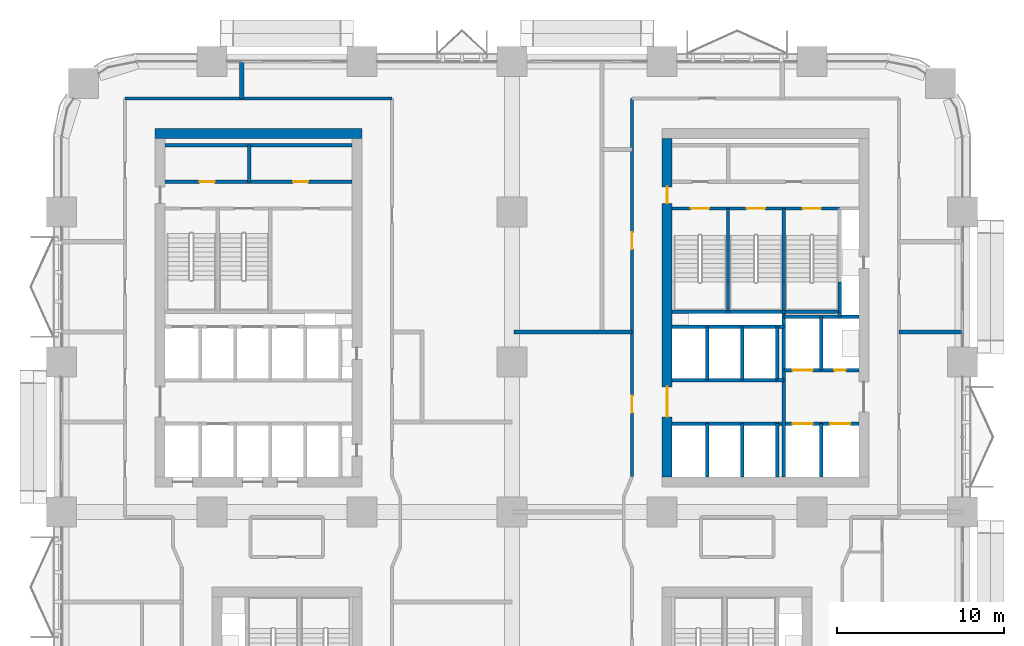
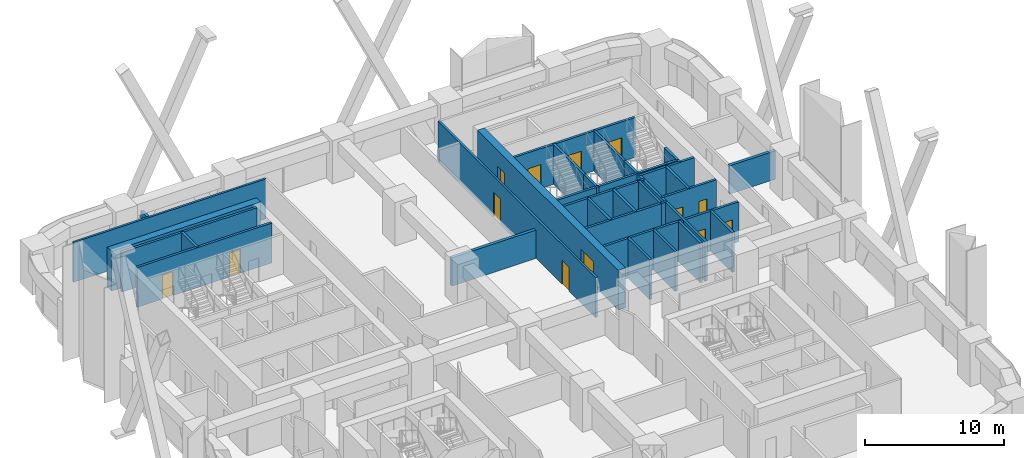
# One storey, part 21 of 26: 37 walls, 13 doors, 13 openings.
"""IFC4 building model written with IfcOpenShell, lengths in metres."""

from ifc_helpers import new_model, si_unit, direction, frame, frame_2d, origin, place, context, subcontext, project, spatial, rectangle, extrude, material, layer, layer_set, type_object, element, fill, save


model = new_model("IFC4")

# Units and contexts
model_context = context("Model", 3, precision=1e-05, world=origin(), true_north=direction((0.0, 1.0)))
body_context = subcontext(model_context, "Body", "Model", "MODEL_VIEW")
ifc_project = project(units=[si_unit("LENGTHUNIT", "METRE"), si_unit("AREAUNIT", "SQUARE_METRE"), si_unit("VOLUMEUNIT", "CUBIC_METRE"), si_unit("PLANEANGLEUNIT", "RADIAN"), si_unit("MASSUNIT", "GRAM", prefix="KILO")], contexts=[model_context])

# Site, building, storey
site_placement = place(None, origin())
site = spatial("IfcSite", under=ifc_project, at=site_placement, CompositionType="ELEMENT")
building_placement = place(site_placement, origin())
building = spatial("IfcBuilding", under=site, at=building_placement, Name="Tessera Arch", CompositionType="ELEMENT")
storey_placement = place(building_placement, frame((0.0, 0.0, 31.0)))
storey = spatial("IfcBuildingStorey", under=building, at=storey_placement, Name="L05", CompositionType="ELEMENT", Elevation=31.0)

# Walls
ifc_material_1 = material(Name="Gypsum board on steel stud", Category="steel")
ifc_layer_1 = layer(ifc_material_1, 0.125)
ifc_layer_set_1 = layer_set([ifc_layer_1], Name="Core partition 125 EI 60")
wall_type_1 = type_object("IfcWallType", Name="Core partition 125 EI 60", PredefinedType="PARTITIONING", material=ifc_layer_set_1)
wall_1_placement = place(storey_placement, frame((42.89990234375, 34.89990234375, 0.0), z_axis=(0.0, 0.0, 1.0), x_axis=(1.0, 0.0, 0.0)))
element("IfcWall", 1, at=wall_1_placement, inside=storey, type_object=wall_type_1, Name="L05 C1 partition wall 19", PredefinedType="PARTITIONING", context=body_context, shape_type="SweptSolid", body=[
    extrude(rectangle(XDim=0.400146484375, YDim=0.199951171875, at=frame_2d((0.2001953125, 0.0))), origin(), (0.0, 0.0, 1.0), 3.5),
])
wall_2_placement = place(storey_placement, frame((11.239990234375, 46.800048828125, 0.0), z_axis=(0.0, 0.0, 1.0), x_axis=(0.0, 1.0, 0.0)))
element("IfcWall", 2, at=wall_2_placement, inside=storey, type_object=wall_type_1, Name="L05 C2 partition wall 7", PredefinedType="PARTITIONING", context=body_context, shape_type="SweptSolid", body=[
    extrude(rectangle(XDim=2.199951171875, YDim=0.199951171875, at=frame_2d((1.10009765625, 0.0))), origin(), (0.0, 0.0, 1.0), 3.5),
])

# Wall, openings, doors
wall_3_placement = place(storey_placement, frame((6.199951171875, 46.800048828125, 0.0), z_axis=(0.0, 0.0, 1.0), x_axis=(1.0, 0.0, 0.0)))
wall_3 = element("IfcWall", 3, at=wall_3_placement, inside=storey, type_object=wall_type_1, Name="L05 C2 partition wall 25", PredefinedType="PARTITIONING", context=body_context, shape_type="SweptSolid", body=[
    extrude(rectangle(XDim=11.199951171875, YDim=0.199951171875, at=frame_2d((5.60009765625, 0.0))), origin(), (0.0, 0.0, 1.0), 3.5),
])
opening_1_placement = place(wall_3_placement, frame((2.070068359375, 0.0, 0.0)))
opening_1 = element("IfcOpeningElement", 4, at=opening_1_placement, cuts=wall_3, Name="Opening L05-C28", PredefinedType="OPENING", context=body_context, shape_type="SweptSolid", body=[
    extrude(rectangle(XDim=0.89990234375, YDim=2.10009765625, at=frame_2d((0.449951171875, 1.050048828125))), frame((0.0, 0.10986328125, 0.0), z_axis=(0.0, -1.0, 0.0), x_axis=(1.0, 0.0, 0.0)), (0.0, 0.0, 1.0), 0.219970703125),
])
opening_2_placement = place(wall_3_placement, frame((7.669921875, 0.0, 0.0)))
opening_2 = element("IfcOpeningElement", 5, at=opening_2_placement, cuts=wall_3, Name="Opening L05-C29", PredefinedType="OPENING", context=body_context, shape_type="SweptSolid", body=[
    extrude(rectangle(XDim=0.89990234375, YDim=2.10009765625, at=frame_2d((0.449951171875, 1.050048828125))), frame((0.0, 0.10986328125, 0.0), z_axis=(0.0, -1.0, 0.0), x_axis=(1.0, 0.0, 0.0)), (0.0, 0.0, 1.0), 0.219970703125),
])
ifc_material_2 = material(Name="Steel door leaf", Category="steel")
door_type_1 = type_object("IfcDoorType", Name="Store door FD30S 900 x 2100", OperationType="SINGLE_SWING_LEFT", PredefinedType="DOOR", material=ifc_material_2)
door_1_placement = place(opening_1_placement, origin())
door_1 = element("IfcDoor", 6, at=door_1_placement, inside=storey, type_object=door_type_1, Name="L05 C2 door 15 C28 type D09", OperationType="SINGLE_SWING_LEFT", OverallHeight=2.10009765625, OverallWidth=0.89990234375, PredefinedType="DOOR", context=body_context, shape_type="SweptSolid", body=[
    extrude(rectangle(XDim=0.89990234375, YDim=2.10009765625, at=frame_2d((0.449951171875, 1.050048828125))), frame((0.0, 0.02490234375, 0.0), z_axis=(0.0, -1.0, 0.0), x_axis=(1.0, 0.0, 0.0)), (0.0, 0.0, 1.0), 0.050048828125),
])
fill(opening_1, door_1)
door_2_placement = place(opening_2_placement, origin())
door_2 = element("IfcDoor", 7, at=door_2_placement, inside=storey, type_object=door_type_1, Name="L05 C2 door 16 C29 type D09", OperationType="SINGLE_SWING_RIGHT", OverallHeight=2.10009765625, OverallWidth=0.89990234375, PredefinedType="DOOR", context=body_context, shape_type="SweptSolid", body=[
    extrude(rectangle(XDim=0.89990234375, YDim=2.10009765625, at=frame_2d((0.449951171875, 1.050048828125))), frame((0.0, 0.02490234375, 0.0), z_axis=(0.0, -1.0, 0.0), x_axis=(1.0, 0.0, 0.0)), (0.0, 0.0, 1.0), 0.050048828125),
])
fill(opening_2, door_2)

# Wall
wall_4_placement = place(storey_placement, frame((6.199951171875, 49.0, 0.0), z_axis=(0.0, 0.0, 1.0), x_axis=(1.0, 0.0, 0.0)))
element("IfcWall", 8, at=wall_4_placement, inside=storey, type_object=wall_type_1, Name="L05 C2 partition wall 26", PredefinedType="PARTITIONING", context=body_context, shape_type="SweptSolid", body=[
    extrude(rectangle(XDim=11.199951171875, YDim=0.199951171875, at=frame_2d((5.60009765625, 0.0))), origin(), (0.0, 0.0, 1.0), 3.5),
])

# Wall, openings, doors
ifc_material_3 = material(Name="Concrete C70/85", Category="concrete")
ifc_layer_2 = layer(ifc_material_3, 0.60009765625)
ifc_layer_set_2 = layer_set([ifc_layer_2], Name="Core shell wall 600 C70-85")
wall_type_2 = type_object("IfcWallType", Name="Core shell wall 600 C70-85", PredefinedType="SHEAR", material=ifc_layer_set_2)
wall_5_placement = place(storey_placement, frame((36.300048828125, 29.10009765625, 0.0), z_axis=(0.0, 0.0, 1.0), x_axis=(0.0, 1.0, 0.0)))
wall_5 = element("IfcWall", 9, at=wall_5_placement, inside=storey, type_object=wall_type_2, Name="L05 C1 core wall W", PredefinedType="SHEAR", context=body_context, shape_type="SweptSolid", body=[
    extrude(rectangle(XDim=20.2998046875, YDim=0.60009765625, at=frame_2d((10.14990234375, 0.0))), origin(), (0.0, 0.0, 1.0), 3.5),
])
opening_3_placement = place(wall_5_placement, frame((3.60009765625, 0.0, 0.0)))
opening_3 = element("IfcOpeningElement", 10, at=opening_3_placement, cuts=wall_5, Name="Opening L05-C04", PredefinedType="OPENING", context=body_context, shape_type="SweptSolid", body=[
    extrude(rectangle(XDim=1.800048828125, YDim=2.10009765625, at=frame_2d((0.89990234375, 1.050048828125))), frame((0.0, 0.31005859375, 0.0), z_axis=(0.0, -1.0, 0.0), x_axis=(1.0, 0.0, 0.0)), (0.0, 0.0, 1.0), 0.6201171875),
])
opening_4_placement = place(wall_5_placement, frame((16.39990234375, 0.0, 0.0)))
opening_4 = element("IfcOpeningElement", 11, at=opening_4_placement, cuts=wall_5, Name="Opening L05-C11", PredefinedType="OPENING", context=body_context, shape_type="SweptSolid", body=[
    extrude(rectangle(XDim=1.0, YDim=2.10009765625, at=frame_2d((0.5, 1.050048828125))), frame((0.0, 0.31005859375, 0.0), z_axis=(0.0, -1.0, 0.0), x_axis=(1.0, 0.0, 0.0)), (0.0, 0.0, 1.0), 0.6201171875),
])
ifc_material_4 = material(Name="Steel door leaf", Category="steel")
door_type_2 = type_object("IfcDoorType", Name="Corridor door FD60 1000 x 2100", OperationType="SINGLE_SWING_LEFT", PredefinedType="DOOR", material=ifc_material_4)
door_3_placement = place(opening_4_placement, origin())
door_3 = element("IfcDoor", 12, at=door_3_placement, inside=storey, type_object=door_type_2, Name="L05 C1 door 11 C11 type D12", OperationType="SINGLE_SWING_RIGHT", OverallHeight=2.10009765625, OverallWidth=1.0, PredefinedType="DOOR", context=body_context, shape_type="SweptSolid", body=[
    extrude(rectangle(XDim=1.0, YDim=2.10009765625, at=frame_2d((0.5, 1.050048828125))), frame((0.0, 0.02490234375, 0.0), z_axis=(0.0, -1.0, 0.0), x_axis=(1.0, 0.0, 0.0)), (0.0, 0.0, 1.0), 0.050048828125),
])
fill(opening_4, door_3)
ifc_material_5 = material(Name="Glazed steel door leaf", Category="steel")
door_type_3 = type_object("IfcDoorType", Name="Lobby double door FD30S 1800 x 2100", OperationType="DOUBLE_DOOR_SINGLE_SWING", PredefinedType="DOOR", material=ifc_material_5)
door_4_placement = place(opening_3_placement, origin())
door_4 = element("IfcDoor", 13, at=door_4_placement, inside=storey, type_object=door_type_3, Name="L05 C1 door 4 C04 type D06", OperationType="DOUBLE_DOOR_SINGLE_SWING", OverallHeight=2.10009765625, OverallWidth=1.800048828125, PredefinedType="DOOR", context=body_context, shape_type="SweptSolid", body=[
    extrude(rectangle(XDim=1.800048828125, YDim=2.10009765625, at=frame_2d((0.89990234375, 1.050048828125))), frame((0.0, 0.02490234375, 0.0), z_axis=(0.0, -1.0, 0.0), x_axis=(1.0, 0.0, 0.0)), (0.0, 0.0, 1.0), 0.050048828125),
])
fill(opening_3, door_4)

# Walls
wall_6_placement = place(storey_placement, frame((5.60009765625, 49.699951171875, 0.0), z_axis=(0.0, 0.0, 1.0), x_axis=(1.0, 0.0, 0.0)))
element("IfcWall", 14, at=wall_6_placement, inside=storey, type_object=wall_type_2, Name="L05 C2 core wall N", PredefinedType="SHEAR", context=body_context, shape_type="SweptSolid", body=[
    extrude(rectangle(XDim=12.39990234375, YDim=0.60009765625, at=frame_2d((6.199951171875, 0.0))), origin(), (0.0, 0.0, 1.0), 3.5),
])
ifc_material_6 = material(Name="Gypsum board on deep steel stud with mineral wool", Category="steel")
ifc_layer_3 = layer(ifc_material_6, 0.175048828125)
ifc_layer_set_3 = layer_set([ifc_layer_3], Name="Corridor wall 175 EI 60")
wall_type_3 = type_object("IfcWallType", Name="Corridor wall 175 EI 60", PredefinedType="PARTITIONING", material=ifc_layer_set_3)
wall_7_placement = place(storey_placement, frame((3.800048828125, 51.800048828125, 0.0), z_axis=(0.0, 0.0, 1.0), x_axis=(1.0, 0.0, 0.0)))
element("IfcWall", 15, at=wall_7_placement, inside=storey, type_object=wall_type_3, Name="L05 partition 9", PredefinedType="PARTITIONING", context=body_context, shape_type="SweptSolid", body=[
    extrude(rectangle(XDim=16.0, YDim=0.175048828125, at=frame_2d((8.0, 0.0))), origin(), (0.0, 0.0, 1.0), 3.5),
])

# Wall, openings, doors
wall_8_placement = place(storey_placement, frame((34.199951171875, 29.1201171875, 0.0), z_axis=(0.0, 0.0, 1.0), x_axis=(0.0, 1.0, 0.0)))
wall_8 = element("IfcWall", 16, at=wall_8_placement, inside=storey, type_object=wall_type_3, Name="L05 partition 21", PredefinedType="PARTITIONING", context=body_context, shape_type="SweptSolid", body=[
    extrude(rectangle(XDim=22.679931640625, YDim=0.175048828125, at=frame_2d((11.33984375, 0.0))), origin(), (0.0, 0.0, 1.0), 3.5),
])
opening_5_placement = place(wall_8_placement, frame((3.840087890625, 0.0, 0.0)))
opening_5 = element("IfcOpeningElement", 17, at=opening_5_placement, cuts=wall_8, Name="Opening L05-D022", PredefinedType="OPENING", context=body_context, shape_type="SweptSolid", body=[
    extrude(rectangle(XDim=1.0, YDim=2.10009765625, at=frame_2d((0.5, 1.050048828125))), frame((0.0, 0.097412109375, 0.0), z_axis=(0.0, -1.0, 0.0), x_axis=(1.0, 0.0, 0.0)), (0.0, 0.0, 1.0), 0.195068359375),
])
opening_6_placement = place(wall_8_placement, frame((13.6455078125, 0.0, 0.0)))
opening_6 = element("IfcOpeningElement", 18, at=opening_6_placement, cuts=wall_8, Name="Opening L05-D028", PredefinedType="OPENING", context=body_context, shape_type="SweptSolid", body=[
    extrude(rectangle(XDim=1.0, YDim=2.10009765625, at=frame_2d((0.5, 1.050048828125))), frame((0.0, 0.097412109375, 0.0), z_axis=(0.0, -1.0, 0.0), x_axis=(1.0, 0.0, 0.0)), (0.0, 0.0, 1.0), 0.195068359375),
])
ifc_material_7 = material(Name="Fire-rated door leaf")
door_type_4 = type_object("IfcDoorType", Name="Entrance door FD30S 1000 x 2100", OperationType="SINGLE_SWING_LEFT", PredefinedType="DOOR", material=ifc_material_7)
door_5_placement = place(opening_5_placement, origin())
door_5 = element("IfcDoor", 19, at=door_5_placement, inside=storey, type_object=door_type_4, Name="L05 door D022 type D03", OperationType="SINGLE_SWING_RIGHT", OverallHeight=2.10009765625, OverallWidth=1.0, PredefinedType="DOOR", context=body_context, shape_type="SweptSolid", body=[
    extrude(rectangle(XDim=1.0, YDim=2.10009765625, at=frame_2d((0.5, 1.050048828125))), frame((0.0, 0.02490234375, 0.0), z_axis=(0.0, -1.0, 0.0), x_axis=(1.0, 0.0, 0.0)), (0.0, 0.0, 1.0), 0.050048828125),
])
fill(opening_5, door_5)
door_6_placement = place(opening_6_placement, origin())
door_6 = element("IfcDoor", 20, at=door_6_placement, inside=storey, type_object=door_type_4, Name="L05 door D028 type D03", OperationType="SINGLE_SWING_RIGHT", OverallHeight=2.10009765625, OverallWidth=1.0, PredefinedType="DOOR", context=body_context, shape_type="SweptSolid", body=[
    extrude(rectangle(XDim=1.0, YDim=2.10009765625, at=frame_2d((0.5, 1.050048828125))), frame((0.0, 0.02490234375, 0.0), z_axis=(0.0, -1.0, 0.0), x_axis=(1.0, 0.0, 0.0)), (0.0, 0.0, 1.0), 0.050048828125),
])
fill(opening_6, door_6)

# Walls
ifc_material_8 = material(Name="Double gypsum board on twin steel stud with acoustic mineral wool", Category="steel")
ifc_layer_4 = layer(ifc_material_8, 0.25)
ifc_layer_set_4 = layer_set([ifc_layer_4], Name="Party wall 250 EI 60")
wall_type_4 = type_object("IfcWallType", Name="Party wall 250 EI 60", PredefinedType="PARTITIONING", material=ifc_layer_set_4)
wall_9_placement = place(storey_placement, frame((27.125, 37.800048828125, 0.0), z_axis=(0.0, 0.0, 1.0), x_axis=(1.0, 0.0, 0.0)))
element("IfcWall", 21, at=wall_9_placement, inside=storey, type_object=wall_type_4, Name="L05 partition 43", PredefinedType="PARTITIONING", context=body_context, shape_type="SweptSolid", body=[
    extrude(rectangle(XDim=7.074951171875, YDim=0.25, at=frame_2d((3.53759765625, 0.0))), origin(), (0.0, 0.0, 1.0), 2.5),
])
wall_10_placement = place(storey_placement, frame((50.199951171875, 37.800048828125, 0.0), z_axis=(0.0, 0.0, 1.0), x_axis=(1.0, 0.0, 0.0)))
element("IfcWall", 22, at=wall_10_placement, inside=storey, type_object=wall_type_4, Name="L05 partition 44", PredefinedType="PARTITIONING", context=body_context, shape_type="SweptSolid", body=[
    extrude(rectangle(XDim=3.800048828125, YDim=0.25, at=frame_2d((1.89990234375, 0.0))), origin(), (0.0, 0.0, 1.0), 2.5),
])
wall_11_placement = place(storey_placement, frame((10.800048828125, 51.800048828125, 0.0), z_axis=(0.0, 0.0, 1.0), x_axis=(0.0, 1.0, 0.0)))
element("IfcWall", 23, at=wall_11_placement, inside=storey, type_object=wall_type_4, Name="L05 partition 49", PredefinedType="PARTITIONING", context=body_context, shape_type="SweptSolid", body=[
    extrude(rectangle(XDim=2.199951171875, YDim=0.25, at=frame_2d((1.10009765625, 0.0))), origin(), (0.0, 0.0, 1.0), 2.5),
])
ifc_material_9 = material(Name="Concrete C40/50", Category="concrete")
ifc_layer_5 = layer(ifc_material_9, 0.199951171875)
ifc_layer_set_5 = layer_set([ifc_layer_5], Name="Shaft wall 200 EI 120")
wall_type_5 = type_object("IfcWallType", Name="Shaft wall 200 EI 120", PredefinedType="SOLIDWALL", material=ifc_layer_set_5)
wall_12_placement = place(storey_placement, frame((38.699951171875, 29.10009765625, 0.0), z_axis=(0.0, 0.0, 1.0), x_axis=(0.0, 1.0, 0.0)))
element("IfcWall", 24, at=wall_12_placement, inside=storey, type_object=wall_type_5, Name="L05 C1 shaft wall 1", PredefinedType="SOLIDWALL", context=body_context, shape_type="SweptSolid", body=[
    extrude(rectangle(XDim=3.199951171875, YDim=0.199951171875, at=frame_2d((1.60009765625, 0.0))), origin(), (0.0, 0.0, 1.0), 3.5),
])
wall_13_placement = place(storey_placement, frame((38.699951171875, 34.89990234375, 0.0), z_axis=(0.0, 0.0, 1.0), x_axis=(0.0, 1.0, 0.0)))
element("IfcWall", 25, at=wall_13_placement, inside=storey, type_object=wall_type_5, Name="L05 C1 shaft wall 2", PredefinedType="SOLIDWALL", context=body_context, shape_type="SweptSolid", body=[
    extrude(rectangle(XDim=3.2001953125, YDim=0.199951171875, at=frame_2d((1.60009765625, 0.0))), origin(), (0.0, 0.0, 1.0), 3.5),
])
wall_14_placement = place(storey_placement, frame((40.800048828125, 29.10009765625, 0.0), z_axis=(0.0, 0.0, 1.0), x_axis=(0.0, 1.0, 0.0)))
element("IfcWall", 26, at=wall_14_placement, inside=storey, type_object=wall_type_5, Name="L05 C1 shaft wall 6", PredefinedType="SOLIDWALL", context=body_context, shape_type="SweptSolid", body=[
    extrude(rectangle(XDim=3.199951171875, YDim=0.199951171875, at=frame_2d((1.60009765625, 0.0))), origin(), (0.0, 0.0, 1.0), 3.5),
])
wall_15_placement = place(storey_placement, frame((40.800048828125, 34.89990234375, 0.0), z_axis=(0.0, 0.0, 1.0), x_axis=(0.0, 1.0, 0.0)))
element("IfcWall", 27, at=wall_15_placement, inside=storey, type_object=wall_type_5, Name="L05 C1 shaft wall 7", PredefinedType="SOLIDWALL", context=body_context, shape_type="SweptSolid", body=[
    extrude(rectangle(XDim=3.2001953125, YDim=0.199951171875, at=frame_2d((1.60009765625, 0.0))), origin(), (0.0, 0.0, 1.0), 3.5),
])
wall_16_placement = place(storey_placement, frame((42.89990234375, 29.10009765625, 0.0), z_axis=(0.0, 0.0, 1.0), x_axis=(0.0, 1.0, 0.0)))
element("IfcWall", 28, at=wall_16_placement, inside=storey, type_object=wall_type_5, Name="L05 C1 shaft wall 8", PredefinedType="SOLIDWALL", context=body_context, shape_type="SweptSolid", body=[
    extrude(rectangle(XDim=3.199951171875, YDim=0.199951171875, at=frame_2d((1.60009765625, 0.0))), origin(), (0.0, 0.0, 1.0), 3.5),
])
wall_17_placement = place(storey_placement, frame((42.89990234375, 34.89990234375, 0.0), z_axis=(0.0, 0.0, 1.0), x_axis=(0.0, 1.0, 0.0)))
element("IfcWall", 29, at=wall_17_placement, inside=storey, type_object=wall_type_5, Name="L05 C1 shaft wall 9", PredefinedType="SOLIDWALL", context=body_context, shape_type="SweptSolid", body=[
    extrude(rectangle(XDim=3.2001953125, YDim=0.199951171875, at=frame_2d((1.60009765625, 0.0))), origin(), (0.0, 0.0, 1.0), 3.5),
])
wall_18_placement = place(storey_placement, frame((43.300048828125, 29.10009765625, 0.0), z_axis=(0.0, 0.0, 1.0), x_axis=(0.0, 1.0, 0.0)))
element("IfcWall", 30, at=wall_18_placement, inside=storey, type_object=wall_type_5, Name="L05 C1 shaft wall 10", PredefinedType="SOLIDWALL", context=body_context, shape_type="SweptSolid", body=[
    extrude(rectangle(XDim=9.89990234375, YDim=0.199951171875, at=frame_2d((4.949951171875, 0.0))), origin(), (0.0, 0.0, 1.0), 3.5),
])
for number, where, z_axis, x_axis, name in (
    (31, (45.550048828125, 29.10009765625, 0.0), (0.0, 0.0, 1.0), (0.0, 1.0, 0.0), "L05 C1 shaft wall 13"),
    (32, (45.550048828125, 35.5, 0.0), (0.0, 0.0, 1.0), (0.0, 1.0, 0.0), "L05 C1 shaft wall 14"),
):
    element("IfcWall", number, at=place(storey_placement, frame(where, z_axis=z_axis, x_axis=x_axis)), inside=storey, type_object=wall_type_5, Name=name, PredefinedType="SOLIDWALL", context=body_context, shape_type="SweptSolid", body=[
        extrude(rectangle(XDim=3.199951171875, YDim=0.199951171875, at=frame_2d((1.60009765625, 0.0))), origin(), (0.0, 0.0, 1.0), 3.5),
    ])
wall_19_placement = place(storey_placement, frame((46.64990234375, 38.699951171875, 0.0), z_axis=(0.0, 0.0, 1.0), x_axis=(0.0, 1.0, 0.0)))
element("IfcWall", 33, at=wall_19_placement, inside=storey, type_object=wall_type_5, Name="L05 C1 shaft wall 15", PredefinedType="SOLIDWALL", context=body_context, shape_type="SweptSolid", body=[
    extrude(rectangle(XDim=0.300048828125, YDim=0.199951171875, at=frame_2d((0.14990234375, 0.0))), origin(), (0.0, 0.0, 1.0), 3.5),
])

# Wall, openings, doors
wall_20_placement = place(storey_placement, frame((36.60009765625, 32.300048828125, 0.0), z_axis=(0.0, 0.0, 1.0), x_axis=(1.0, 0.0, 0.0)))
wall_20 = element("IfcWall", 34, at=wall_20_placement, inside=storey, type_object=wall_type_5, Name="L05 C1 shaft wall 18", PredefinedType="SOLIDWALL", context=body_context, shape_type="SweptSolid", body=[
    extrude(rectangle(XDim=11.199951171875, YDim=0.199951171875, at=frame_2d((5.60009765625, 0.0))), origin(), (0.0, 0.0, 1.0), 3.5),
])
opening_7_placement = place(wall_20_placement, frame((7.22509765625, 0.0, 0.0)))
opening_7 = element("IfcOpeningElement", 35, at=opening_7_placement, cuts=wall_20, Name="Opening L05-C01", PredefinedType="OPENING", context=body_context, shape_type="SweptSolid", body=[
    extrude(rectangle(XDim=1.199951171875, YDim=2.10009765625, at=frame_2d((0.60009765625, 1.050048828125))), frame((0.0, 0.10986328125, 0.0), z_axis=(0.0, -1.0, 0.0), x_axis=(1.0, 0.0, 0.0)), (0.0, 0.0, 1.0), 0.219970703125),
])
opening_8_placement = place(wall_20_placement, frame((9.47509765625, 0.0, 0.0)))
opening_8 = element("IfcOpeningElement", 36, at=opening_8_placement, cuts=wall_20, Name="Opening L05-C02", PredefinedType="OPENING", context=body_context, shape_type="SweptSolid", body=[
    extrude(rectangle(XDim=1.199951171875, YDim=2.10009765625, at=frame_2d((0.60009765625, 1.050048828125))), frame((0.0, 0.10986328125, 0.0), z_axis=(0.0, -1.0, 0.0), x_axis=(1.0, 0.0, 0.0)), (0.0, 0.0, 1.0), 0.219970703125),
])
ifc_material_10 = material(Name="Stainless steel AISI 304", Category="steel")
door_type_5 = type_object("IfcDoorType", Name="Sliding landing door 1200 x 2100", OperationType="SLIDING_TO_LEFT", PredefinedType="DOOR", material=ifc_material_10)
door_7_placement = place(opening_7_placement, origin())
door_7 = element("IfcDoor", 37, at=door_7_placement, inside=storey, type_object=door_type_5, Name="L05 FF1 lift landing door C01 type LD", OperationType="SLIDING_TO_LEFT", OverallHeight=2.10009765625, OverallWidth=1.199951171875, PredefinedType="DOOR", context=body_context, shape_type="SweptSolid", body=[
    extrude(rectangle(XDim=1.199951171875, YDim=2.10009765625, at=frame_2d((0.60009765625, 1.050048828125))), frame((0.0, 0.02490234375, 0.0), z_axis=(0.0, -1.0, 0.0), x_axis=(1.0, 0.0, 0.0)), (0.0, 0.0, 1.0), 0.050048828125),
])
fill(opening_7, door_7)
door_8_placement = place(opening_8_placement, origin())
door_8 = element("IfcDoor", 38, at=door_8_placement, inside=storey, type_object=door_type_5, Name="L05 FF2 lift landing door C02 type LD", OperationType="SLIDING_TO_LEFT", OverallHeight=2.10009765625, OverallWidth=1.199951171875, PredefinedType="DOOR", context=body_context, shape_type="SweptSolid", body=[
    extrude(rectangle(XDim=1.199951171875, YDim=2.10009765625, at=frame_2d((0.60009765625, 1.050048828125))), frame((0.0, 0.02490234375, 0.0), z_axis=(0.0, -1.0, 0.0), x_axis=(1.0, 0.0, 0.0)), (0.0, 0.0, 1.0), 0.050048828125),
])
fill(opening_8, door_8)

# Wall
wall_21_placement = place(storey_placement, frame((36.60009765625, 34.89990234375, 0.0), z_axis=(0.0, 0.0, 1.0), x_axis=(1.0, 0.0, 0.0)))
element("IfcWall", 39, at=wall_21_placement, inside=storey, type_object=wall_type_5, Name="L05 C1 shaft wall 20", PredefinedType="SOLIDWALL", context=body_context, shape_type="SweptSolid", body=[
    extrude(rectangle(XDim=6.2998046875, YDim=0.199951171875, at=frame_2d((3.14990234375, 0.0))), origin(), (0.0, 0.0, 1.0), 3.5),
])

# Wall, openings, doors
wall_22_placement = place(storey_placement, frame((43.300048828125, 35.5, 0.0), z_axis=(0.0, 0.0, 1.0), x_axis=(1.0, 0.0, 0.0)))
wall_22 = element("IfcWall", 40, at=wall_22_placement, inside=storey, type_object=wall_type_5, Name="L05 C1 shaft wall 21", PredefinedType="SOLIDWALL", context=body_context, shape_type="SweptSolid", body=[
    extrude(rectangle(XDim=4.5, YDim=0.199951171875, at=frame_2d((2.25, 0.0))), origin(), (0.0, 0.0, 1.0), 3.5),
])
opening_9_placement = place(wall_22_placement, frame((0.52490234375, 0.0, 0.0)))
opening_9 = element("IfcOpeningElement", 41, at=opening_9_placement, cuts=wall_22, Name="Opening L05-C03", PredefinedType="OPENING", context=body_context, shape_type="SweptSolid", body=[
    extrude(rectangle(XDim=1.199951171875, YDim=2.10009765625, at=frame_2d((0.60009765625, 1.050048828125))), frame((0.0, 0.10986328125, 0.0), z_axis=(0.0, -1.0, 0.0), x_axis=(1.0, 0.0, 0.0)), (0.0, 0.0, 1.0), 0.219970703125),
])
opening_10_placement = place(wall_22_placement, frame((3.02490234375, 0.0, 0.0)))
opening_10 = element("IfcOpeningElement", 42, at=opening_10_placement, cuts=wall_22, Name="Opening L05-C10", PredefinedType="OPENING", context=body_context, shape_type="SweptSolid", body=[
    extrude(rectangle(XDim=0.699951171875, YDim=2.10009765625, at=frame_2d((0.35009765625, 1.050048828125))), frame((0.0, 0.10986328125, 0.0), z_axis=(0.0, -1.0, 0.0), x_axis=(1.0, 0.0, 0.0)), (0.0, 0.0, 1.0), 0.219970703125),
])
ifc_material_11 = material(Name="Steel door leaf", Category="steel")
door_type_6 = type_object("IfcDoorType", Name="Service shaft door FD60 700 x 2100", OperationType="SINGLE_SWING_LEFT", PredefinedType="DOOR", material=ifc_material_11)
door_9_placement = place(opening_10_placement, origin())
door_9 = element("IfcDoor", 43, at=door_9_placement, inside=storey, type_object=door_type_6, Name="L05 C1 door 10 C10 type D07", OperationType="SINGLE_SWING_RIGHT", OverallHeight=2.10009765625, OverallWidth=0.699951171875, PredefinedType="DOOR", context=body_context, shape_type="SweptSolid", body=[
    extrude(rectangle(XDim=0.699951171875, YDim=2.10009765625, at=frame_2d((0.35009765625, 1.050048828125))), frame((0.0, 0.02490234375, 0.0), z_axis=(0.0, -1.0, 0.0), x_axis=(1.0, 0.0, 0.0)), (0.0, 0.0, 1.0), 0.050048828125),
])
fill(opening_10, door_9)
door_10_placement = place(opening_9_placement, origin())
door_10 = element("IfcDoor", 44, at=door_10_placement, inside=storey, type_object=door_type_5, Name="L05 SV2 lift landing door C03 type LD", OperationType="SLIDING_TO_LEFT", OverallHeight=2.10009765625, OverallWidth=1.199951171875, PredefinedType="DOOR", context=body_context, shape_type="SweptSolid", body=[
    extrude(rectangle(XDim=1.199951171875, YDim=2.10009765625, at=frame_2d((0.60009765625, 1.050048828125))), frame((0.0, 0.02490234375, 0.0), z_axis=(0.0, -1.0, 0.0), x_axis=(1.0, 0.0, 0.0)), (0.0, 0.0, 1.0), 0.050048828125),
])
fill(opening_9, door_10)

# Walls
wall_23_placement = place(storey_placement, frame((36.60009765625, 38.10009765625, 0.0), z_axis=(0.0, 0.0, 1.0), x_axis=(1.0, 0.0, 0.0)))
element("IfcWall", 45, at=wall_23_placement, inside=storey, type_object=wall_type_5, Name="L05 C1 shaft wall 22", PredefinedType="SOLIDWALL", context=body_context, shape_type="SweptSolid", body=[
    extrude(rectangle(XDim=6.699951171875, YDim=0.199951171875, at=frame_2d((3.35009765625, 0.0))), origin(), (0.0, 0.0, 1.0), 3.5),
])
wall_24_placement = place(storey_placement, frame((43.300048828125, 38.699951171875, 0.0), z_axis=(0.0, 0.0, 1.0), x_axis=(1.0, 0.0, 0.0)))
element("IfcWall", 46, at=wall_24_placement, inside=storey, type_object=wall_type_5, Name="L05 C1 shaft wall 23", PredefinedType="SOLIDWALL", context=body_context, shape_type="SweptSolid", body=[
    extrude(rectangle(XDim=4.5, YDim=0.199951171875, at=frame_2d((2.25, 0.0))), origin(), (0.0, 0.0, 1.0), 3.5),
])
ifc_material_12 = material(Name="Concrete C40/50", Category="concrete")
ifc_layer_6 = layer(ifc_material_12, 0.199951171875)
ifc_layer_set_6 = layer_set([ifc_layer_6], Name="Stair well wall 200 REI 180")
wall_type_6 = type_object("IfcWallType", Name="Stair well wall 200 REI 180", PredefinedType="SOLIDWALL", material=ifc_layer_set_6)
wall_25_placement = place(storey_placement, frame((39.949951171875, 39.0, 0.0), z_axis=(0.0, 0.0, 1.0), x_axis=(0.0, 1.0, 0.0)))
element("IfcWall", 47, at=wall_25_placement, inside=storey, type_object=wall_type_6, Name="L05 C1 shaft wall 3", PredefinedType="SOLIDWALL", context=body_context, shape_type="SweptSolid", body=[
    extrude(rectangle(XDim=1.780029296875, YDim=0.199951171875, at=frame_2d((0.89013671875, 0.0))), origin(), (0.0, 0.0, 1.0), 3.5),
])
wall_26_placement = place(storey_placement, frame((39.949951171875, 40.780029296875, 0.0), z_axis=(0.0, 0.0, 1.0), x_axis=(0.0, 1.0, 0.0)))
element("IfcWall", 48, at=wall_26_placement, inside=storey, type_object=wall_type_6, Name="L05 C1 shaft wall 4", PredefinedType="SOLIDWALL", context=body_context, shape_type="SweptSolid", body=[
    extrude(rectangle(XDim=4.419921875, YDim=0.199951171875, at=frame_2d((2.2099609375, 0.0))), origin(), (0.0, 0.0, 1.0), 3.5),
])
wall_27_placement = place(storey_placement, frame((43.300048828125, 39.0, 0.0), z_axis=(0.0, 0.0, 1.0), x_axis=(0.0, 1.0, 0.0)))
element("IfcWall", 49, at=wall_27_placement, inside=storey, type_object=wall_type_6, Name="L05 C1 shaft wall 11", PredefinedType="SOLIDWALL", context=body_context, shape_type="SweptSolid", body=[
    extrude(rectangle(XDim=1.780029296875, YDim=0.199951171875, at=frame_2d((0.89013671875, 0.0))), origin(), (0.0, 0.0, 1.0), 3.5),
])
wall_28_placement = place(storey_placement, frame((43.300048828125, 40.780029296875, 0.0), z_axis=(0.0, 0.0, 1.0), x_axis=(0.0, 1.0, 0.0)))
element("IfcWall", 50, at=wall_28_placement, inside=storey, type_object=wall_type_6, Name="L05 C1 shaft wall 12", PredefinedType="SOLIDWALL", context=body_context, shape_type="SweptSolid", body=[
    extrude(rectangle(XDim=4.419921875, YDim=0.199951171875, at=frame_2d((2.2099609375, 0.0))), origin(), (0.0, 0.0, 1.0), 3.5),
])
wall_29_placement = place(storey_placement, frame((46.64990234375, 39.0, 0.0), z_axis=(0.0, 0.0, 1.0), x_axis=(0.0, 1.0, 0.0)))
element("IfcWall", 51, at=wall_29_placement, inside=storey, type_object=wall_type_6, Name="L05 C1 shaft wall 16", PredefinedType="SOLIDWALL", context=body_context, shape_type="SweptSolid", body=[
    extrude(rectangle(XDim=1.780029296875, YDim=0.199951171875, at=frame_2d((0.89013671875, 0.0))), origin(), (0.0, 0.0, 1.0), 3.5),
])
wall_30_placement = place(storey_placement, frame((36.60009765625, 39.0, 0.0), z_axis=(0.0, 0.0, 1.0), x_axis=(1.0, 0.0, 0.0)))
element("IfcWall", 52, at=wall_30_placement, inside=storey, type_object=wall_type_6, Name="L05 C1 shaft wall 24", PredefinedType="SOLIDWALL", context=body_context, shape_type="SweptSolid", body=[
    extrude(rectangle(XDim=3.25, YDim=0.199951171875, at=frame_2d((1.625, 0.0))), origin(), (0.0, 0.0, 1.0), 3.5),
])
wall_31_placement = place(storey_placement, frame((39.85009765625, 39.0, 0.0), z_axis=(0.0, 0.0, 1.0), x_axis=(1.0, 0.0, 0.0)))
element("IfcWall", 53, at=wall_31_placement, inside=storey, type_object=wall_type_6, Name="L05 C1 shaft wall 25", PredefinedType="SOLIDWALL", context=body_context, shape_type="SweptSolid", body=[
    extrude(rectangle(XDim=0.199951171875, YDim=0.199951171875, at=frame_2d((0.10009765625, 0.0))), origin(), (0.0, 0.0, 1.0), 3.5),
])
wall_32_placement = place(storey_placement, frame((40.050048828125, 39.0, 0.0), z_axis=(0.0, 0.0, 1.0), x_axis=(1.0, 0.0, 0.0)))
element("IfcWall", 54, at=wall_32_placement, inside=storey, type_object=wall_type_6, Name="L05 C1 shaft wall 26", PredefinedType="SOLIDWALL", context=body_context, shape_type="SweptSolid", body=[
    extrude(rectangle(XDim=3.14990234375, YDim=0.199951171875, at=frame_2d((1.574951171875, 0.0))), origin(), (0.0, 0.0, 1.0), 3.5),
])
wall_33_placement = place(storey_placement, frame((43.199951171875, 39.0, 0.0), z_axis=(0.0, 0.0, 1.0), x_axis=(1.0, 0.0, 0.0)))
element("IfcWall", 55, at=wall_33_placement, inside=storey, type_object=wall_type_6, Name="L05 C1 shaft wall 27", PredefinedType="SOLIDWALL", context=body_context, shape_type="SweptSolid", body=[
    extrude(rectangle(XDim=0.199951171875, YDim=0.199951171875, at=frame_2d((0.10009765625, 0.0))), origin(), (0.0, 0.0, 1.0), 3.5),
])
wall_34_placement = place(storey_placement, frame((43.39990234375, 39.0, 0.0), z_axis=(0.0, 0.0, 1.0), x_axis=(1.0, 0.0, 0.0)))
element("IfcWall", 56, at=wall_34_placement, inside=storey, type_object=wall_type_6, Name="L05 C1 shaft wall 28", PredefinedType="SOLIDWALL", context=body_context, shape_type="SweptSolid", body=[
    extrude(rectangle(XDim=3.25, YDim=0.199951171875, at=frame_2d((1.625, 0.0))), origin(), (0.0, 0.0, 1.0), 3.5),
])

# Wall, openings, doors
wall_35_placement = place(storey_placement, frame((36.60009765625, 45.199951171875, 0.0), z_axis=(0.0, 0.0, 1.0), x_axis=(1.0, 0.0, 0.0)))
wall_35 = element("IfcWall", 57, at=wall_35_placement, inside=storey, type_object=wall_type_6, Name="L05 C1 shaft wall 30", PredefinedType="SOLIDWALL", context=body_context, shape_type="SweptSolid", body=[
    extrude(rectangle(XDim=10.0498046875, YDim=0.199951171875, at=frame_2d((5.02490234375, 0.0))), origin(), (0.0, 0.0, 1.0), 3.5),
])
opening_11_placement = place(wall_35_placement, frame((1.125, 0.0, 0.0)))
opening_11 = element("IfcOpeningElement", 58, at=opening_11_placement, cuts=wall_35, Name="Opening L05-C05", PredefinedType="OPENING", context=body_context, shape_type="SweptSolid", body=[
    extrude(rectangle(XDim=1.10009765625, YDim=2.10009765625, at=frame_2d((0.550048828125, 1.050048828125))), frame((0.0, 0.10986328125, 0.0), z_axis=(0.0, -1.0, 0.0), x_axis=(1.0, 0.0, 0.0)), (0.0, 0.0, 1.0), 0.219970703125),
])
opening_12_placement = place(wall_35_placement, frame((4.47509765625, 0.0, 0.0)))
opening_12 = element("IfcOpeningElement", 59, at=opening_12_placement, cuts=wall_35, Name="Opening L05-C06", PredefinedType="OPENING", context=body_context, shape_type="SweptSolid", body=[
    extrude(rectangle(XDim=1.10009765625, YDim=2.10009765625, at=frame_2d((0.550048828125, 1.050048828125))), frame((0.0, 0.10986328125, 0.0), z_axis=(0.0, -1.0, 0.0), x_axis=(1.0, 0.0, 0.0)), (0.0, 0.0, 1.0), 0.219970703125),
])
opening_13_placement = place(wall_35_placement, frame((7.824951171875, 0.0, 0.0)))
opening_13 = element("IfcOpeningElement", 60, at=opening_13_placement, cuts=wall_35, Name="Opening L05-C07", PredefinedType="OPENING", context=body_context, shape_type="SweptSolid", body=[
    extrude(rectangle(XDim=1.10009765625, YDim=2.10009765625, at=frame_2d((0.550048828125, 1.050048828125))), frame((0.0, 0.10986328125, 0.0), z_axis=(0.0, -1.0, 0.0), x_axis=(1.0, 0.0, 0.0)), (0.0, 0.0, 1.0), 0.219970703125),
])
ifc_material_13 = material(Name="Steel door leaf", Category="steel")
door_type_7 = type_object("IfcDoorType", Name="Stair door FD60 1100 x 2100", OperationType="SINGLE_SWING_LEFT", PredefinedType="DOOR", material=ifc_material_13)
door_11_placement = place(opening_11_placement, origin())
door_11 = element("IfcDoor", 61, at=door_11_placement, inside=storey, type_object=door_type_7, Name="L05 C1 door 5 C05 type D05", OperationType="SINGLE_SWING_LEFT", OverallHeight=2.10009765625, OverallWidth=1.10009765625, PredefinedType="DOOR", context=body_context, shape_type="SweptSolid", body=[
    extrude(rectangle(XDim=1.10009765625, YDim=2.10009765625, at=frame_2d((0.550048828125, 1.050048828125))), frame((0.0, 0.02490234375, 0.0), z_axis=(0.0, -1.0, 0.0), x_axis=(1.0, 0.0, 0.0)), (0.0, 0.0, 1.0), 0.050048828125),
])
fill(opening_11, door_11)
door_12_placement = place(opening_12_placement, origin())
door_12 = element("IfcDoor", 62, at=door_12_placement, inside=storey, type_object=door_type_7, Name="L05 C1 door 6 C06 type D05", OperationType="SINGLE_SWING_RIGHT", OverallHeight=2.10009765625, OverallWidth=1.10009765625, PredefinedType="DOOR", context=body_context, shape_type="SweptSolid", body=[
    extrude(rectangle(XDim=1.10009765625, YDim=2.10009765625, at=frame_2d((0.550048828125, 1.050048828125))), frame((0.0, 0.02490234375, 0.0), z_axis=(0.0, -1.0, 0.0), x_axis=(1.0, 0.0, 0.0)), (0.0, 0.0, 1.0), 0.050048828125),
])
fill(opening_12, door_12)
door_13_placement = place(opening_13_placement, origin())
door_13 = element("IfcDoor", 63, at=door_13_placement, inside=storey, type_object=door_type_7, Name="L05 C1 door 7 C07 type D05", OperationType="SINGLE_SWING_RIGHT", OverallHeight=2.10009765625, OverallWidth=1.10009765625, PredefinedType="DOOR", context=body_context, shape_type="SweptSolid", body=[
    extrude(rectangle(XDim=1.10009765625, YDim=2.10009765625, at=frame_2d((0.550048828125, 1.050048828125))), frame((0.0, 0.02490234375, 0.0), z_axis=(0.0, -1.0, 0.0), x_axis=(1.0, 0.0, 0.0)), (0.0, 0.0, 1.0), 0.050048828125),
])
fill(opening_13, door_13)

save(model, "model.ifc")
